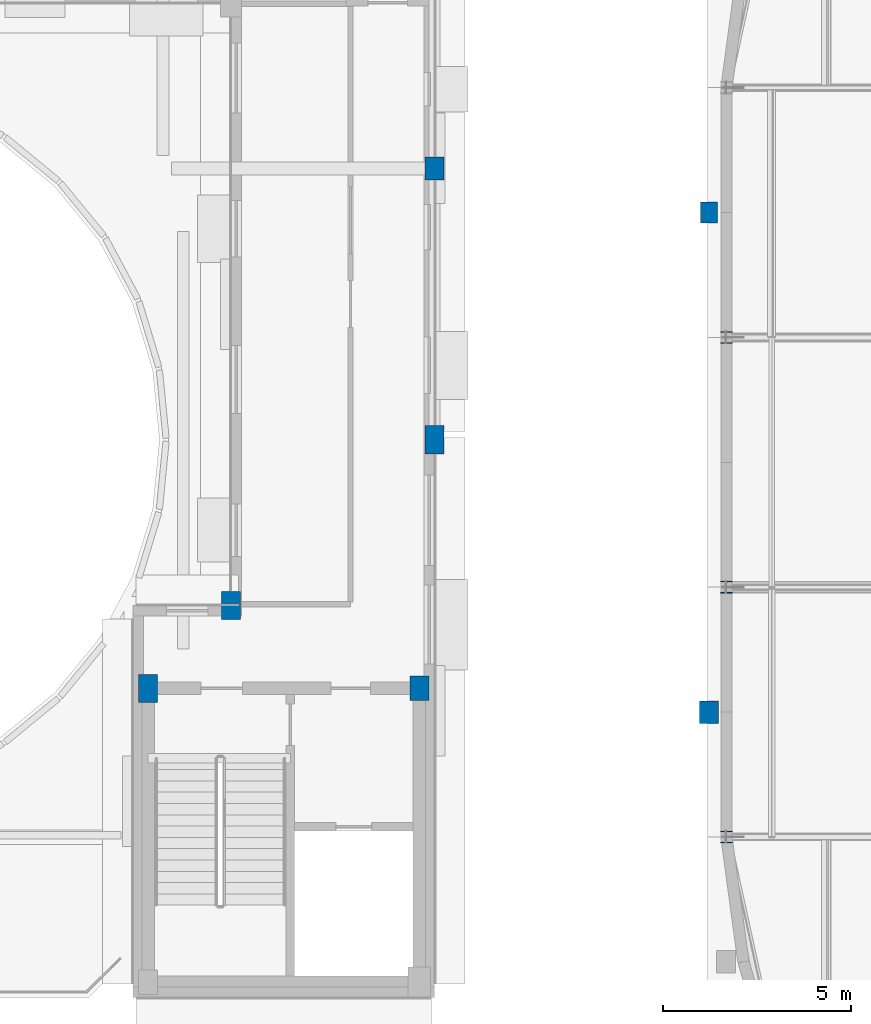
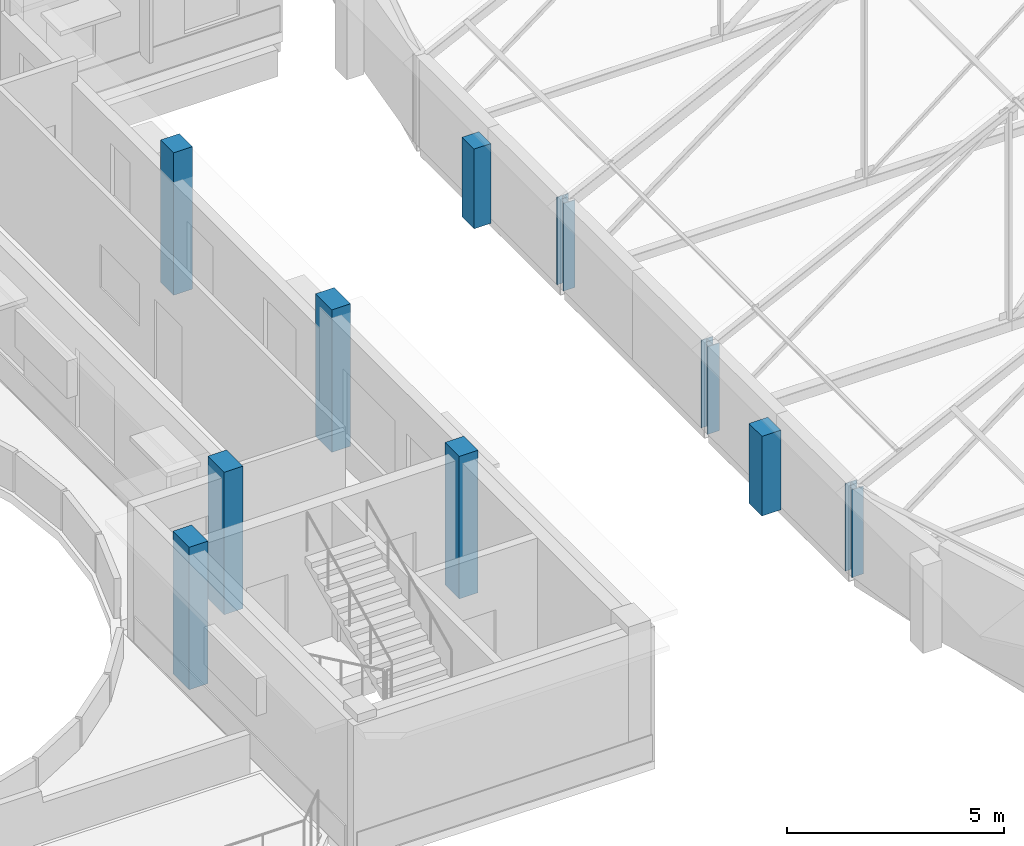
# One storey, part 7 of 78: 10 columns.
"""IFC4 building model written with IfcOpenShell, lengths in metres."""

from ifc_helpers import new_model, si_unit, direction, frame, origin, origin_2d, place, context, subcontext, project, spatial, rectangle, i_section, extrude, material, material_profile, profile_set, type_object, element, save


model = new_model("IFC4")

# Units and contexts
model_context = context("Model", 3, precision=1e-05, world=origin(), true_north=direction((0.0, 1.0)))
body_context = subcontext(model_context, "Body", "Model", "MODEL_VIEW")
ifc_project = project(units=[si_unit("LENGTHUNIT", "METRE"), si_unit("AREAUNIT", "SQUARE_METRE"), si_unit("VOLUMEUNIT", "CUBIC_METRE"), si_unit("PLANEANGLEUNIT", "RADIAN"), si_unit("MASSUNIT", "GRAM", prefix="KILO")], contexts=[model_context])

# Site, building, storey
site_placement = place(None, origin())
site = spatial("IfcSite", under=ifc_project, at=site_placement, CompositionType="ELEMENT")
building_placement = place(site_placement, origin())
building = spatial("IfcBuilding", under=site, at=building_placement, Name="Kelanivale Promenade Academy", CompositionType="ELEMENT")
storey_placement = place(building_placement, frame((0.0, 0.0, 16.199951171875)))
storey = spatial("IfcBuildingStorey", under=building, at=storey_placement, Name="L04", CompositionType="ELEMENT", Elevation=16.199951171875)

# Columns
ifc_material_1 = material(Name="Concrete C40/50", Category="concrete")
ifc_material_profile_1 = material_profile(ifc_material_1, rectangle(XDim=0.5, YDim=0.64990234375, at=origin_2d()), Name="RC-COL 500x650")
ifc_profile_set_1 = profile_set([ifc_material_profile_1], Name="Concrete C40/50")
column_type_1 = type_object("IfcColumnType", Name="C-11 RC-COL 500x650", PredefinedType="COLUMN", material=ifc_profile_set_1)
column_1_placement = place(storey_placement, frame((115.199951171875, 50.199951171875, 0.0), z_axis=(0.0, 0.0, 1.0), x_axis=(1.0, 0.0, 0.0)))
element("IfcColumn", 1, at=column_1_placement, inside=storey, type_object=column_type_1, Name="Column C-11 at (115.2, 50.2) L04", PredefinedType="COLUMN", context=body_context, shape_type="SweptSolid", body=[
    extrude(rectangle(XDim=0.5, YDim=0.64990234375, at=origin_2d()), origin(), (0.0, 0.0, 1.0), 4.0),
])
ifc_material_profile_2 = material_profile(ifc_material_1, rectangle(XDim=0.5, YDim=0.75, at=origin_2d()), Name="RC-COL 500x750")
ifc_profile_set_2 = profile_set([ifc_material_profile_2], Name="Concrete C40/50")
column_type_2 = type_object("IfcColumnType", Name="C-12 RC-COL 500x750", PredefinedType="COLUMN", material=ifc_profile_set_2)
for number, where, z_axis, x_axis, name in (
    (2, (108.0, 50.199951171875, 0.0), (0.0, 0.0, 1.0), (1.0, 0.0, 0.0), "Column C-12 at (108.0, 50.2) L04"),
    (3, (110.199951171875, 52.39990234375, 0.0), (0.0, 0.0, 1.0), (1.0, 0.0, 0.0), "Column C-12 at (110.2, 52.4) L04"),
    (4, (115.60009765625, 56.800048828125, 0.0), (0.0, 0.0, 1.0), (1.0, 0.0, 0.0), "Column C-12 at (115.6, 56.8) L04"),
):
    element("IfcColumn", number, at=place(storey_placement, frame(where, z_axis=z_axis, x_axis=x_axis)), inside=storey, type_object=column_type_2, Name=name, PredefinedType="COLUMN", context=body_context, shape_type="SweptSolid", body=[
        extrude(rectangle(XDim=0.5, YDim=0.75, at=origin_2d()), origin(), (0.0, 0.0, 1.0), 4.0),
    ])
ifc_material_profile_3 = material_profile(ifc_material_1, rectangle(XDim=0.449951171875, YDim=0.550048828125, at=origin_2d()), Name="RC-PIL 450x550")
ifc_profile_set_3 = profile_set([ifc_material_profile_3], Name="Concrete C40/50")
column_type_3 = type_object("IfcColumnType", Name="PL-17 RC-PIL 450x550", PredefinedType="PILASTER", material=ifc_profile_set_3)
column_2_placement = place(storey_placement, frame((122.889892578125, 62.8291015625, 0.0), z_axis=(0.0, 0.0, 1.0), x_axis=(1.0, 0.0, 0.0)))
element("IfcColumn", 5, at=column_2_placement, inside=storey, type_object=column_type_3, Name="Column PL-17 at (122.9, 62.8) L04", PredefinedType="PILASTER", context=body_context, shape_type="SweptSolid", body=[
    extrude(rectangle(XDim=0.449951171875, YDim=0.550048828125, at=origin_2d()), origin(), (0.0, 0.0, 1.0), 2.237060546875),
])
ifc_material_profile_4 = material_profile(ifc_material_1, rectangle(XDim=0.5, YDim=0.60009765625, at=origin_2d()), Name="RC-PIL 500x600")
ifc_profile_set_4 = profile_set([ifc_material_profile_4], Name="Concrete C40/50")
column_type_4 = type_object("IfcColumnType", Name="PL-18 RC-PIL 500x600", PredefinedType="PILASTER", material=ifc_profile_set_4)
column_3_placement = place(storey_placement, frame((115.60009765625, 64.0, 0.0), z_axis=(0.0, 0.0, 1.0), x_axis=(1.0, 0.0, 0.0)))
element("IfcColumn", 6, at=column_3_placement, inside=storey, type_object=column_type_4, Name="Column PL-18 at (115.6, 64.0) L04", PredefinedType="PILASTER", context=body_context, shape_type="SweptSolid", body=[
    extrude(rectangle(XDim=0.5, YDim=0.60009765625, at=origin_2d()), origin(), (0.0, 0.0, 1.0), 4.0),
])
column_4_placement = place(storey_placement, frame((122.889892578125, 49.571044921875, 0.0), z_axis=(0.0, 0.0, 1.0), x_axis=(1.0, 0.0, 0.0)))
element("IfcColumn", 7, at=column_4_placement, inside=storey, type_object=column_type_4, Name="Column PL-18 at (122.9, 49.6) L04", PredefinedType="PILASTER", context=body_context, shape_type="SweptSolid", body=[
    extrude(rectangle(XDim=0.5, YDim=0.60009765625, at=origin_2d()), origin(), (0.0, 0.0, 1.0), 2.237060546875),
])
ifc_material_2 = material(Name="Steel S355", Category="steel")
ifc_material_profile_5 = material_profile(ifc_material_2, i_section(OverallWidth=0.307373046875, OverallDepth=0.314453125, WebThickness=0.011962890625, FlangeThickness=0.018798828125, FilletRadius=0.01513671875, at=origin_2d()), Name="UC 305x305x118")
ifc_profile_set_5 = profile_set([ifc_material_profile_5], Name="Steel S355")
column_type_5 = type_object("IfcColumnType", Name="SC-04 UC 305x305x118", PredefinedType="COLUMN", material=ifc_profile_set_5)
for number, where, z_axis, x_axis, name in (
    (8, (123.35009765625, 46.257080078125, 0.0), (0.0, 0.0, 1.0), (1.0, 0.0, 0.0), "Column SC-04 at (123.3, 46.3) L04"),
    (9, (123.35009765625, 52.885986328125, 0.0), (0.0, 0.0, 1.0), (1.0, 0.0, 0.0), "Column SC-04 at (123.3, 52.9) L04"),
    (10, (123.35009765625, 59.513916015625, 0.0), (0.0, 0.0, 1.0), (1.0, 0.0, 0.0), "Column SC-04 at (123.3, 59.5) L04"),
):
    element("IfcColumn", number, at=place(storey_placement, frame(where, z_axis=z_axis, x_axis=x_axis)), inside=storey, type_object=column_type_5, Name=name, PredefinedType="COLUMN", context=body_context, shape_type="SweptSolid", body=[
        extrude(i_section(OverallWidth=0.307373046875, OverallDepth=0.314453125, WebThickness=0.011962890625, FlangeThickness=0.018798828125, FilletRadius=0.01513671875, at=origin_2d()), origin(), (0.0, 0.0, 1.0), 2.4609375),
    ])

save(model, "model.ifc")
